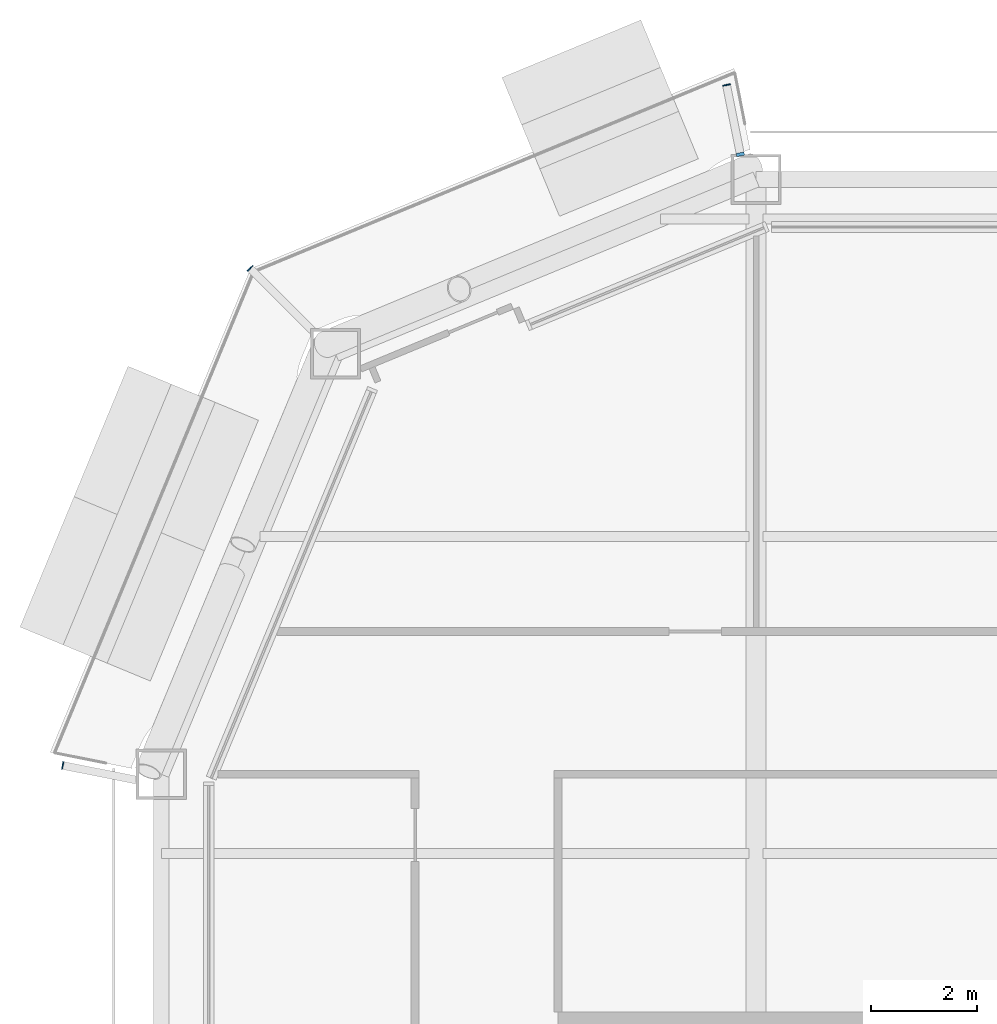
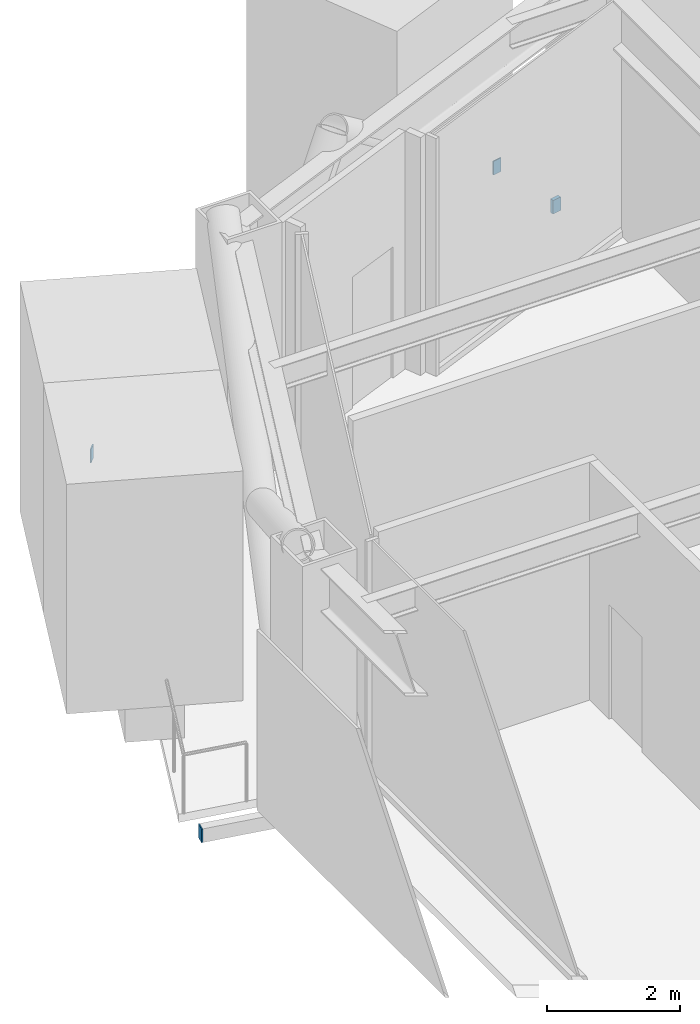
# One storey, part 16 of 23: 4 discrete accessories.
"""IFC4 building model written with IfcOpenShell, lengths in metres."""

from ifc_helpers import new_model, si_unit, direction, frame, origin, origin_2d, place, context, subcontext, project, spatial, rectangle, extrude, material, layer, layer_set, type_object, element, save


model = new_model("IFC4")

# Units and contexts
model_context = context("Model", 3, precision=1e-05, world=origin(), true_north=direction((0.0, 1.0)))
body_context = subcontext(model_context, "Body", "Model", "MODEL_VIEW")
ifc_project = project(units=[si_unit("LENGTHUNIT", "METRE"), si_unit("AREAUNIT", "SQUARE_METRE"), si_unit("VOLUMEUNIT", "CUBIC_METRE"), si_unit("PLANEANGLEUNIT", "RADIAN"), si_unit("MASSUNIT", "GRAM", prefix="KILO")], contexts=[model_context])

# Site, building, storey
site_placement = place(None, origin())
site = spatial("IfcSite", under=ifc_project, at=site_placement, CompositionType="ELEMENT")
building_placement = place(site_placement, origin())
building = spatial("IfcBuilding", under=site, at=building_placement, Name="Siwar Civic Tower", CompositionType="ELEMENT")
storey_placement = place(building_placement, frame((0.0, 0.0, 118.199951171875)))
storey = spatial("IfcBuildingStorey", under=building, at=storey_placement, Name="L25", CompositionType="ELEMENT", Elevation=118.199951171875)

# Discrete accessories
ifc_material_1 = material(Name="Stainless steel 316", Category="steel")
discrete_accessory_type_1 = type_object("IfcDiscreteAccessoryType", Name="ENV-BRACKET", PredefinedType="BRACKET", material=ifc_material_1)
discrete_accessory_placement = place(storey_placement, frame((-18.29833984375, 29.72509765625, -0.39990234375), z_axis=(0.0, 0.0, 1.0), x_axis=(-0.195090322016, 0.980785280403, 0.0)))
element("IfcDiscreteAccessory", 1, at=discrete_accessory_placement, inside=storey, type_object=discrete_accessory_type_1, Name="Bracket balcony cantilever beam NW 1", PredefinedType="BRACKET", context=body_context, shape_type="SweptSolid", body=[
    extrude(rectangle(XDim=0.06005859375, YDim=0.14990234375, at=origin_2d()), origin(), (0.0, 0.0, 1.0), 0.25),
])
ifc_material_2 = material(Name="Steel S355", Category="steel")
ifc_layer = layer(ifc_material_2, 0.02001953125)
ifc_layer_set = layer_set([ifc_layer], Name="Steel S355")
discrete_accessory_type_2 = type_object("IfcDiscreteAccessoryType", Name="STR-END-CAP", PredefinedType="USERDEFINED", material=ifc_layer_set)
for number, where, z_axis, x_axis, name in (
    (2, (-18.559326171875, 31.036376953125, -0.39990234375), (0.0, 0.0, 1.0), (-0.195090322204, 0.980785280366, 0.0), "End cap plate Balcony cantilever beam NW 1"),
    (3, (-27.5693359375, 27.5693359375, -0.39990234375), (0.0, 0.0, 1.0), (-0.707106781187, 0.707106781187, 0.0), "End cap plate Balcony cantilever beam NW 2"),
    (4, (-31.114501953125, 18.1669921875, -0.39990234375), (0.0, 0.0, 1.0), (-0.980785280424, 0.195090321913, 0.0), "End cap plate Balcony cantilever beam NW 3"),
):
    element("IfcDiscreteAccessory", number, at=place(storey_placement, frame(where, z_axis=z_axis, x_axis=x_axis)), inside=storey, type_object=discrete_accessory_type_2, Name=name, ObjectType="END CAP PLATE", PredefinedType="USERDEFINED", context=body_context, shape_type="SweptSolid", body=[
        extrude(rectangle(XDim=0.02001953125, YDim=0.14990234375, at=origin_2d()), origin(), (0.0, 0.0, 1.0), 0.25),
    ])

save(model, "model.ifc")
